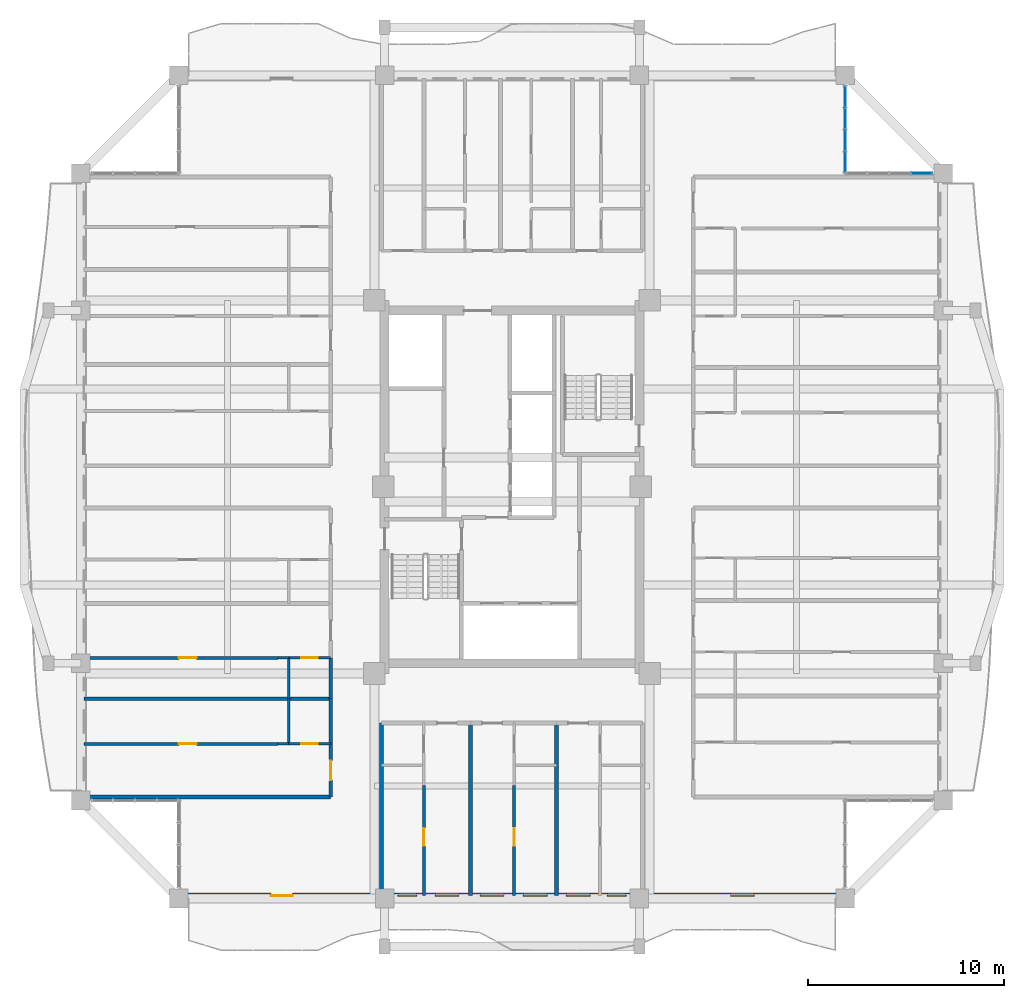
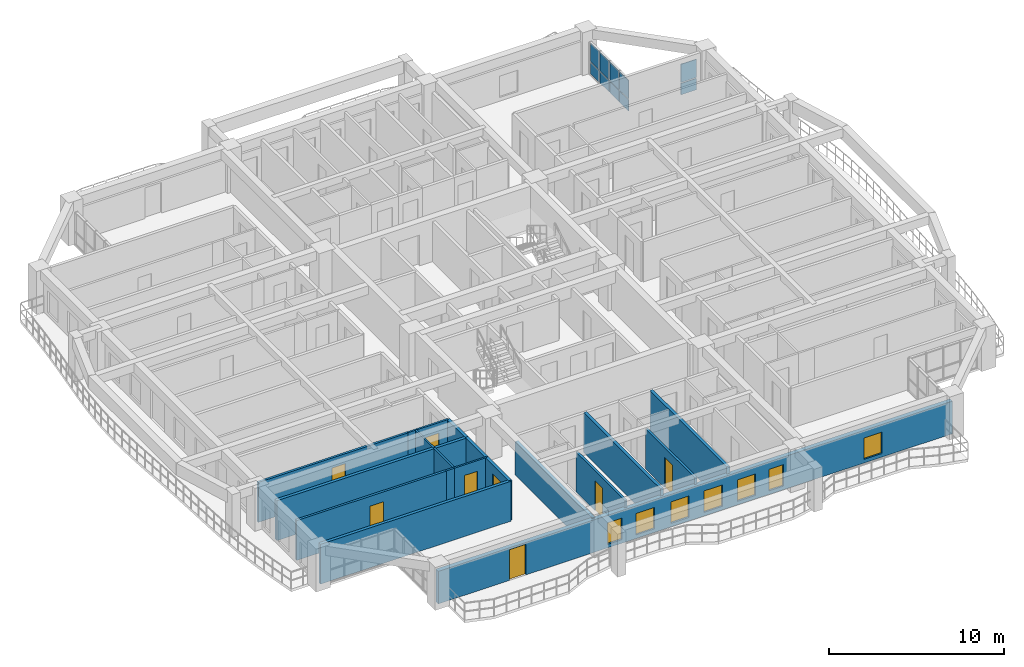
# One storey, part 11 of 24: 19 walls, 10 plates, 8 doors, 7 windows, 15 openings, 2 elements without a shape of their own.
"""IFC4 building model written with IfcOpenShell, lengths in metres."""

from ifc_helpers import new_model, si_unit, direction, frame, frame_2d, origin, origin_2d, place, context, subcontext, project, spatial, rectangle, extrude, source, transform, mapped, material, layer, layer_set, type_object, element, fill, aggregate, save


model = new_model("IFC4")

# Units and contexts
model_context = context("Model", 3, precision=1e-05, world=origin(), true_north=direction((0.0, 1.0)))
body_context = subcontext(model_context, "Body", "Model", "MODEL_VIEW")
ifc_project = project(units=[si_unit("LENGTHUNIT", "METRE"), si_unit("AREAUNIT", "SQUARE_METRE"), si_unit("VOLUMEUNIT", "CUBIC_METRE"), si_unit("PLANEANGLEUNIT", "RADIAN"), si_unit("MASSUNIT", "GRAM", prefix="KILO")], contexts=[model_context])

# Site, building, storey
site_placement = place(None, origin())
site = spatial("IfcSite", under=ifc_project, at=site_placement, CompositionType="ELEMENT")
building_placement = place(site_placement, origin())
building = spatial("IfcBuilding", under=site, at=building_placement, Name="Saelheon Loggia Tower", CompositionType="ELEMENT")
storey_placement = place(building_placement, frame((0.0, 0.0, 166.0)))
storey = spatial("IfcBuildingStorey", under=building, at=storey_placement, Name="L52", CompositionType="ELEMENT", Elevation=166.0)

# Curtain wall, plates
ifc_material_1 = material(Name="High-Wind Aluminium and Triple Laminated Glass", Category="aluminium")
ifc_layer_1 = layer(ifc_material_1, 0.179931640625)
ifc_layer_set_1 = layer_set([ifc_layer_1], Name="High-Wind Aluminium and Triple Laminated Glass")
curtain_wall_type = type_object("IfcCurtainWallType", Name="CW_TowerLoggiaHigh", PredefinedType="NOTDEFINED", material=ifc_layer_set_1)
curtain_wall_1_placement = place(storey_placement, origin())
curtain_wall_1 = element("IfcCurtainWall", 1, at=curtain_wall_1_placement, inside=storey, type_object=curtain_wall_type, Name="L52 Corner Notch Glazing NE1", PredefinedType="NOTDEFINED")
ifc_material_2 = material(Name="Triple Low-E Laminated Glazing", Category="glass")
ifc_layer_2 = layer(ifc_material_2, 0.0439453125)
ifc_layer_set_2 = layer_set([ifc_layer_2], Name="Triple Low-E Laminated Glazing")
plate_type = type_object("IfcPlateType", Name="CW_TowerLoggiaHigh_Panel", PredefinedType="CURTAIN_PANEL", material=ifc_layer_set_2)
shared_shape_1 = source(origin(), body_context, "Body", "SweptSolid", [
    extrude(rectangle(XDim=1.016357421875, YDim=0.0439453125, at=origin_2d()), origin(), (0.0, 0.0, 1.0), 0.794921875),
])
plate_1_placement = place(storey_placement, frame((55.0, 43.578125, 0.070068359375), z_axis=(0.0, 0.0, 1.0), x_axis=(0.0, 1.0, 0.0)))
plate_1 = element("IfcPlate", 2, at=plate_1_placement, type_object=plate_type, Name="CW4 panel 1.1", PredefinedType="CURTAIN_PANEL", context=body_context, shape_type="MappedRepresentation", body=[
    mapped(shared_shape_1, transform((0.0, 0.0, 0.0), scale=1.0)),
])
plate_2_placement = place(storey_placement, frame((55.0, 46.906982421875, 0.070068359375), z_axis=(0.0, 0.0, 1.0), x_axis=(0.0, 1.0, 0.0)))
plate_2 = element("IfcPlate", 3, at=plate_2_placement, type_object=plate_type, Name="CW4 panel 4.1", PredefinedType="CURTAIN_PANEL", context=body_context, shape_type="MappedRepresentation", body=[
    mapped(shared_shape_1, transform((0.0, 0.0, 0.0), scale=1.0)),
])

# Curtain wall, plate
curtain_wall_2_placement = place(storey_placement, origin())
curtain_wall_2 = element("IfcCurtainWall", 4, at=curtain_wall_2_placement, inside=storey, type_object=curtain_wall_type, Name="L52 Corner Notch Glazing NE2", PredefinedType="NOTDEFINED")
plate_3_placement = place(storey_placement, frame((58.906982421875, 43.0, 0.070068359375), z_axis=(0.0, 0.0, 1.0), x_axis=(1.0, 0.0, 0.0)))
plate_3 = element("IfcPlate", 5, at=plate_3_placement, type_object=plate_type, Name="CW4 panel 4.1", PredefinedType="CURTAIN_PANEL", context=body_context, shape_type="MappedRepresentation", body=[
    mapped(shared_shape_1, transform((0.0, 0.0, 0.0), scale=1.0)),
])

# Plate
shared_shape_2 = source(origin(), body_context, "Body", "SweptSolid", [
    extrude(rectangle(XDim=1.016357421875, YDim=0.0439453125, at=origin_2d()), origin(), (0.0, 0.0, 1.0), 1.27490234375),
])
plate_4_placement = place(storey_placement, frame((55.0, 43.578125, 0.93505859375), z_axis=(0.0, 0.0, 1.0), x_axis=(0.0, 1.0, 0.0)))
plate_4 = element("IfcPlate", 6, at=plate_4_placement, type_object=plate_type, Name="CW4 panel 1.2", PredefinedType="CURTAIN_PANEL", context=body_context, shape_type="MappedRepresentation", body=[
    mapped(shared_shape_2, transform((0.0, 0.0, 0.0), scale=1.0)),
])

plate_5_placement = place(storey_placement, frame((55.0, 46.906982421875, 0.93505859375), z_axis=(0.0, 0.0, 1.0), x_axis=(0.0, 1.0, 0.0)))
plate_5 = element("IfcPlate", 7, at=plate_5_placement, type_object=plate_type, Name="CW4 panel 4.2", PredefinedType="CURTAIN_PANEL", context=body_context, shape_type="MappedRepresentation", body=[
    mapped(shared_shape_2, transform((0.0, 0.0, 0.0), scale=1.0)),
])

plate_6_placement = place(storey_placement, frame((58.906982421875, 43.0, 0.93505859375), z_axis=(0.0, 0.0, 1.0), x_axis=(1.0, 0.0, 0.0)))
plate_6 = element("IfcPlate", 8, at=plate_6_placement, type_object=plate_type, Name="CW4 panel 4.2", PredefinedType="CURTAIN_PANEL", context=body_context, shape_type="MappedRepresentation", body=[
    mapped(shared_shape_2, transform((0.0, 0.0, 0.0), scale=1.0)),
])

aggregate(curtain_wall_2, [plate_3, plate_6])

shared_shape_3 = source(origin(), body_context, "Body", "SweptSolid", [
    extrude(rectangle(XDim=1.05126953125, YDim=0.0439453125, at=origin_2d()), origin(), (0.0, 0.0, 1.0), 0.794921875),
])
plate_7_placement = place(storey_placement, frame((55.0, 44.681884765625, 0.070068359375), z_axis=(0.0, 0.0, 1.0), x_axis=(0.0, 1.0, 0.0)))
plate_7 = element("IfcPlate", 9, at=plate_7_placement, type_object=plate_type, Name="CW4 panel 2.1", PredefinedType="CURTAIN_PANEL", context=body_context, shape_type="MappedRepresentation", body=[
    mapped(shared_shape_3, transform((0.0, 0.0, 0.0), scale=1.0)),
])

plate_8_placement = place(storey_placement, frame((55.0, 45.80322265625, 0.070068359375), z_axis=(0.0, 0.0, 1.0), x_axis=(0.0, 1.0, 0.0)))
plate_8 = element("IfcPlate", 10, at=plate_8_placement, type_object=plate_type, Name="CW4 panel 3.1", PredefinedType="CURTAIN_PANEL", context=body_context, shape_type="MappedRepresentation", body=[
    mapped(shared_shape_3, transform((0.0, 0.0, 0.0), scale=1.0)),
])

shared_shape_4 = source(origin(), body_context, "Body", "SweptSolid", [
    extrude(rectangle(XDim=1.05126953125, YDim=0.0439453125, at=origin_2d()), origin(), (0.0, 0.0, 1.0), 1.27490234375),
])
plate_9_placement = place(storey_placement, frame((55.0, 44.681884765625, 0.93505859375), z_axis=(0.0, 0.0, 1.0), x_axis=(0.0, 1.0, 0.0)))
plate_9 = element("IfcPlate", 11, at=plate_9_placement, type_object=plate_type, Name="CW4 panel 2.2", PredefinedType="CURTAIN_PANEL", context=body_context, shape_type="MappedRepresentation", body=[
    mapped(shared_shape_4, transform((0.0, 0.0, 0.0), scale=1.0)),
])

plate_10_placement = place(storey_placement, frame((55.0, 45.80322265625, 0.93505859375), z_axis=(0.0, 0.0, 1.0), x_axis=(0.0, 1.0, 0.0)))
plate_10 = element("IfcPlate", 12, at=plate_10_placement, type_object=plate_type, Name="CW4 panel 3.2", PredefinedType="CURTAIN_PANEL", context=body_context, shape_type="MappedRepresentation", body=[
    mapped(shared_shape_4, transform((0.0, 0.0, 0.0), scale=1.0)),
])

aggregate(curtain_wall_1, [plate_1, plate_4, plate_7, plate_9, plate_8, plate_10, plate_2, plate_5])

# Wall, openings, windows, door
ifc_material_3 = material(Name="Architectural Precast Concrete C40/50", Category="concrete")
ifc_layer_3 = layer(ifc_material_3, 0.280029296875)
ifc_layer_set_3 = layer_set([ifc_layer_3], Name="Architectural Precast Concrete C40/50")
wall_type_1 = type_object("IfcWallType", Name="Wall_Ext_Loggia_280", PredefinedType="SOLIDWALL", material=ifc_layer_set_3)
wall_1_placement = place(storey_placement, frame((21.0, 6.139892578125, 0.0), z_axis=(0.0, 0.0, 1.0), x_axis=(1.0, 0.0, 0.0)))
wall_1 = element("IfcWall", 13, at=wall_1_placement, inside=storey, type_object=wall_type_1, Name="L52 South Loggia Inner Wall", PredefinedType="SOLIDWALL", context=body_context, shape_type="SweptSolid", body=[
    extrude(rectangle(XDim=34.0, YDim=0.280029296875, at=frame_2d((17.0, 0.0))), origin(), (0.0, 0.0, 1.0), 2.280029296875),
])
opening_1_placement = place(wall_1_placement, frame((5.800048828125, 0.0, 0.0), z_axis=(0.0, 0.0, 1.0), x_axis=(-1.0, 0.0, 0.0)))
opening_1 = element("IfcOpeningElement", 14, at=opening_1_placement, cuts=wall_1, Name="Opening TD1", PredefinedType="OPENING", context=body_context, shape_type="SweptSolid", body=[
    extrude(rectangle(XDim=1.10009765625, YDim=2.14990234375, at=frame_2d((0.550048828125, 1.074951171875))), frame((0.0, 0.152099609375, 0.0), z_axis=(0.0, -1.0, 0.0), x_axis=(1.0, 0.0, 0.0)), (0.0, 0.0, 1.0), 0.303955078125),
])
opening_2_placement = place(wall_1_placement, frame((11.1826171875, 0.0, 0.25)))
opening_2 = element("IfcOpeningElement", 15, at=opening_2_placement, cuts=wall_1, Name="Opening WN-04", PredefinedType="OPENING", context=body_context, shape_type="SweptSolid", body=[
    extrude(rectangle(XDim=0.949951171875, YDim=1.5, at=frame_2d((0.47509765625, 0.75))), frame((0.0, 0.152099609375, 0.0), z_axis=(0.0, -1.0, 0.0), x_axis=(1.0, 0.0, 0.0)), (0.0, 0.0, 1.0), 0.303955078125),
])
opening_3_placement = place(wall_1_placement, frame((13.0859375, 0.0, 0.25)))
opening_3 = element("IfcOpeningElement", 16, at=opening_3_placement, cuts=wall_1, Name="Opening WN-03", PredefinedType="OPENING", context=body_context, shape_type="SweptSolid", body=[
    extrude(rectangle(XDim=1.199951171875, YDim=1.5, at=frame_2d((0.60009765625, 0.75))), frame((0.0, 0.152099609375, 0.0), z_axis=(0.0, -1.0, 0.0), x_axis=(1.0, 0.0, 0.0)), (0.0, 0.0, 1.0), 0.303955078125),
])
opening_4_placement = place(wall_1_placement, frame((15.3916015625, 0.0, 0.25)))
opening_4 = element("IfcOpeningElement", 17, at=opening_4_placement, cuts=wall_1, Name="Opening WN-03", PredefinedType="OPENING", context=body_context, shape_type="SweptSolid", body=[
    extrude(rectangle(XDim=1.199951171875, YDim=1.5, at=frame_2d((0.60009765625, 0.75))), frame((0.0, 0.152099609375, 0.0), z_axis=(0.0, -1.0, 0.0), x_axis=(1.0, 0.0, 0.0)), (0.0, 0.0, 1.0), 0.303955078125),
])
opening_5_placement = place(wall_1_placement, frame((17.5859375, 0.0, 0.25)))
opening_5 = element("IfcOpeningElement", 18, at=opening_5_placement, cuts=wall_1, Name="Opening WN-03", PredefinedType="OPENING", context=body_context, shape_type="SweptSolid", body=[
    extrude(rectangle(XDim=1.199951171875, YDim=1.5, at=frame_2d((0.60009765625, 0.75))), frame((0.0, 0.152099609375, 0.0), z_axis=(0.0, -1.0, 0.0), x_axis=(1.0, 0.0, 0.0)), (0.0, 0.0, 1.0), 0.303955078125),
])
opening_6_placement = place(wall_1_placement, frame((19.780517578125, 0.0, 0.25)))
opening_6 = element("IfcOpeningElement", 19, at=opening_6_placement, cuts=wall_1, Name="Opening WN-03", PredefinedType="OPENING", context=body_context, shape_type="SweptSolid", body=[
    extrude(rectangle(XDim=1.199951171875, YDim=1.5, at=frame_2d((0.60009765625, 0.75))), frame((0.0, 0.152099609375, 0.0), z_axis=(0.0, -1.0, 0.0), x_axis=(1.0, 0.0, 0.0)), (0.0, 0.0, 1.0), 0.303955078125),
])
opening_7_placement = place(wall_1_placement, frame((21.867431640625, 0.0, 0.25)))
opening_7 = element("IfcOpeningElement", 20, at=opening_7_placement, cuts=wall_1, Name="Opening WN-04", PredefinedType="OPENING", context=body_context, shape_type="SweptSolid", body=[
    extrude(rectangle(XDim=0.949951171875, YDim=1.5, at=frame_2d((0.47509765625, 0.75))), frame((0.0, 0.152099609375, 0.0), z_axis=(0.0, -1.0, 0.0), x_axis=(1.0, 0.0, 0.0)), (0.0, 0.0, 1.0), 0.303955078125),
])
opening_8_placement = place(wall_1_placement, frame((28.14990234375, 0.0, 0.25)))
opening_8 = element("IfcOpeningElement", 21, at=opening_8_placement, cuts=wall_1, Name="Opening WN-03", PredefinedType="OPENING", context=body_context, shape_type="SweptSolid", body=[
    extrude(rectangle(XDim=1.199951171875, YDim=1.5, at=frame_2d((0.60009765625, 0.75))), frame((0.0, 0.152099609375, 0.0), z_axis=(0.0, -1.0, 0.0), x_axis=(1.0, 0.0, 0.0)), (0.0, 0.0, 1.0), 0.303955078125),
])
ifc_material_4 = material(Name="Thermal-Break Aluminium and Triple Low-E Glass", Category="aluminium")
window_type_1 = type_object("IfcWindowType", Name="Win_Bedroom_1200x1500", PartitioningType="SINGLE_PANEL", PredefinedType="WINDOW", material=ifc_material_4)
shared_shape_5 = source(origin(), body_context, "Body", "SweptSolid", [
    extrude(rectangle(XDim=1.199951171875, YDim=1.5, at=frame_2d((0.60009765625, 0.75))), frame((0.0, 0.030029296875, 0.0), z_axis=(0.0, -1.0, 0.0), x_axis=(1.0, 0.0, 0.0)), (0.0, 0.0, 1.0), 0.06005859375),
])
window_1_placement = place(opening_3_placement, origin())
window_1 = element("IfcWindow", 22, at=window_1_placement, inside=storey, type_object=window_type_1, Name="L52 S Dwelling Window 3", OverallHeight=1.5, OverallWidth=1.199951171875, PartitioningType="SINGLE_PANEL", PredefinedType="WINDOW", context=body_context, shape_type="MappedRepresentation", body=[
    mapped(shared_shape_5, transform((0.0, 0.0, 0.0), scale=1.0)),
])
fill(opening_3, window_1)
window_2_placement = place(opening_4_placement, origin())
window_2 = element("IfcWindow", 23, at=window_2_placement, inside=storey, type_object=window_type_1, Name="L52 S Dwelling Window 4", OverallHeight=1.5, OverallWidth=1.199951171875, PartitioningType="SINGLE_PANEL", PredefinedType="WINDOW", context=body_context, shape_type="MappedRepresentation", body=[
    mapped(shared_shape_5, transform((0.0, 0.0, 0.0), scale=1.0)),
])
fill(opening_4, window_2)
window_3_placement = place(opening_5_placement, origin())
window_3 = element("IfcWindow", 24, at=window_3_placement, inside=storey, type_object=window_type_1, Name="L52 S Dwelling Window 5", OverallHeight=1.5, OverallWidth=1.199951171875, PartitioningType="SINGLE_PANEL", PredefinedType="WINDOW", context=body_context, shape_type="MappedRepresentation", body=[
    mapped(shared_shape_5, transform((0.0, 0.0, 0.0), scale=1.0)),
])
fill(opening_5, window_3)
window_4_placement = place(opening_6_placement, origin())
window_4 = element("IfcWindow", 25, at=window_4_placement, inside=storey, type_object=window_type_1, Name="L52 S Dwelling Window 6", OverallHeight=1.5, OverallWidth=1.199951171875, PartitioningType="SINGLE_PANEL", PredefinedType="WINDOW", context=body_context, shape_type="MappedRepresentation", body=[
    mapped(shared_shape_5, transform((0.0, 0.0, 0.0), scale=1.0)),
])
fill(opening_6, window_4)
window_5_placement = place(opening_8_placement, origin())
window_5 = element("IfcWindow", 26, at=window_5_placement, inside=storey, type_object=window_type_1, Name="L52 S Dwelling Window 8", OverallHeight=1.5, OverallWidth=1.199951171875, PartitioningType="SINGLE_PANEL", PredefinedType="WINDOW", context=body_context, shape_type="MappedRepresentation", body=[
    mapped(shared_shape_5, transform((0.0, 0.0, 0.0), scale=1.0)),
])
fill(opening_8, window_5)
ifc_material_5 = material(Name="Thermal-Break Aluminium Glazed Door", Category="aluminium")
door_type_1 = type_object("IfcDoorType", Name="Door_Terrace_TD1", OperationType="NOTDEFINED", PredefinedType="DOOR", material=ifc_material_5)
shared_shape_6 = source(origin(), body_context, "Body", "SweptSolid", [
    extrude(rectangle(XDim=1.10009765625, YDim=2.14990234375, at=frame_2d((0.550048828125, 1.074951171875))), frame((0.0, 0.02490234375, 0.0), z_axis=(0.0, -1.0, 0.0), x_axis=(1.0, 0.0, 0.0)), (0.0, 0.0, 1.0), 0.050048828125),
])
door_1_placement = place(opening_1_placement, origin())
door_1 = element("IfcDoor", 27, at=door_1_placement, inside=storey, type_object=door_type_1, Name="L52 S Loggia Access Door", OperationType="SINGLE_SWING_LEFT", OverallHeight=2.14990234375, OverallWidth=1.10009765625, PredefinedType="DOOR", context=body_context, shape_type="MappedRepresentation", body=[
    mapped(shared_shape_6, transform((0.0, 0.0, 0.0), scale=1.0)),
])
fill(opening_1, door_1)
window_type_2 = type_object("IfcWindowType", Name="Win_Narrow_950x1500", PartitioningType="SINGLE_PANEL", PredefinedType="WINDOW", material=ifc_material_4)
shared_shape_7 = source(origin(), body_context, "Body", "SweptSolid", [
    extrude(rectangle(XDim=0.949951171875, YDim=1.5, at=frame_2d((0.47509765625, 0.75))), frame((0.0, 0.030029296875, 0.0), z_axis=(0.0, -1.0, 0.0), x_axis=(1.0, 0.0, 0.0)), (0.0, 0.0, 1.0), 0.06005859375),
])
window_6_placement = place(opening_2_placement, origin())
window_6 = element("IfcWindow", 28, at=window_6_placement, inside=storey, type_object=window_type_2, Name="L52 S Dwelling Window 2", OverallHeight=1.5, OverallWidth=0.949951171875, PartitioningType="SINGLE_PANEL", PredefinedType="WINDOW", context=body_context, shape_type="MappedRepresentation", body=[
    mapped(shared_shape_7, transform((0.0, 0.0, 0.0), scale=1.0)),
])
fill(opening_2, window_6)
window_7_placement = place(opening_7_placement, origin())
window_7 = element("IfcWindow", 29, at=window_7_placement, inside=storey, type_object=window_type_2, Name="L52 S Dwelling Window 7", OverallHeight=1.5, OverallWidth=0.949951171875, PartitioningType="SINGLE_PANEL", PredefinedType="WINDOW", context=body_context, shape_type="MappedRepresentation", body=[
    mapped(shared_shape_7, transform((0.0, 0.0, 0.0), scale=1.0)),
])
fill(opening_7, window_7)

# Wall, opening, door
ifc_material_6 = material(Name="Lightweight Autoclaved Aerated Concrete Block and Acoustic Gypsum", Category="concrete")
ifc_layer_4 = layer(ifc_material_6, 0.14990234375)
ifc_layer_set_4 = layer_set([ifc_layer_4], Name="Lightweight Autoclaved Aerated Concrete Block and Acoustic Gypsum")
wall_type_2 = type_object("IfcWallType", Name="Wall_Part_150", PredefinedType="PARTITIONING", material=ifc_layer_set_4)
wall_2_placement = place(storey_placement, frame((33.5, 11.77001953125, 0.0), z_axis=(0.0, 0.0, 1.0), x_axis=(0.0, -1.0, 0.0)))
wall_2 = element("IfcWall", 30, at=wall_2_placement, inside=storey, type_object=wall_type_2, Name="L52 S Partition U08", PredefinedType="PARTITIONING", context=body_context, shape_type="SweptSolid", body=[
    extrude(rectangle(XDim=5.6201171875, YDim=0.14990234375, at=frame_2d((2.81005859375, 0.0))), origin(), (0.0, 0.0, 1.0), 2.7900390625),
])
opening_9_placement = place(wall_2_placement, frame((2.183349609375, 0.0, 0.0)))
opening_9 = element("IfcOpeningElement", 31, at=opening_9_placement, cuts=wall_2, Name="Opening D-IN2", PredefinedType="OPENING", context=body_context, shape_type="SweptSolid", body=[
    extrude(rectangle(XDim=0.89990234375, YDim=2.10009765625, at=frame_2d((0.449951171875, 1.050048828125))), frame((0.0, 0.0869140625, 0.0), z_axis=(0.0, -1.0, 0.0), x_axis=(1.0, 0.0, 0.0)), (0.0, 0.0, 1.0), 0.173828125),
])
ifc_material_7 = material(Name="Engineered Oak Flush Door", Category="timber")
door_type_2 = type_object("IfcDoorType", Name="Door_Int_900", OperationType="NOTDEFINED", PredefinedType="DOOR", material=ifc_material_7)
shared_shape_8 = source(origin(), body_context, "Body", "SweptSolid", [
    extrude(rectangle(XDim=0.89990234375, YDim=2.10009765625, at=frame_2d((0.449951171875, 1.050048828125))), frame((0.0, 0.02490234375, 0.0), z_axis=(0.0, -1.0, 0.0), x_axis=(1.0, 0.0, 0.0)), (0.0, 0.0, 1.0), 0.050048828125),
])
door_2_placement = place(opening_9_placement, origin())
door_2 = element("IfcDoor", 32, at=door_2_placement, inside=storey, type_object=door_type_2, Name="Unit U01 Kitchen Door", OperationType="SINGLE_SWING_LEFT", OverallHeight=2.10009765625, OverallWidth=0.89990234375, PredefinedType="DOOR", context=body_context, shape_type="MappedRepresentation", body=[
    mapped(shared_shape_8, transform((0.0, 0.0, 0.0), scale=1.0)),
])
fill(opening_9, door_2)

wall_3_placement = place(storey_placement, frame((38.111083984375, 11.77001953125, 0.0), z_axis=(0.0, 0.0, 1.0), x_axis=(0.0, -1.0, 0.0)))
wall_3 = element("IfcWall", 33, at=wall_3_placement, inside=storey, type_object=wall_type_2, Name="L52 S Partition U15", PredefinedType="PARTITIONING", context=body_context, shape_type="SweptSolid", body=[
    extrude(rectangle(XDim=5.6201171875, YDim=0.14990234375, at=frame_2d((2.81005859375, 0.0))), origin(), (0.0, 0.0, 1.0), 2.7900390625),
])
opening_10_placement = place(wall_3_placement, frame((2.183349609375, 0.0, 0.0)))
opening_10 = element("IfcOpeningElement", 34, at=opening_10_placement, cuts=wall_3, Name="Opening D-IN2", PredefinedType="OPENING", context=body_context, shape_type="SweptSolid", body=[
    extrude(rectangle(XDim=0.89990234375, YDim=2.10009765625, at=frame_2d((0.449951171875, 1.050048828125))), frame((0.0, 0.0869140625, 0.0), z_axis=(0.0, -1.0, 0.0), x_axis=(1.0, 0.0, 0.0)), (0.0, 0.0, 1.0), 0.173828125),
])
door_3_placement = place(opening_10_placement, origin())
door_3 = element("IfcDoor", 35, at=door_3_placement, inside=storey, type_object=door_type_2, Name="Unit U02 Kitchen Door", OperationType="SINGLE_SWING_RIGHT", OverallHeight=2.10009765625, OverallWidth=0.89990234375, PredefinedType="DOOR", context=body_context, shape_type="MappedRepresentation", body=[
    mapped(shared_shape_8, transform((0.0, 0.0, 0.0), scale=1.0)),
])
fill(opening_10, door_3)

wall_4_placement = place(storey_placement, frame((26.050048828125, 13.88623046875, 0.0), z_axis=(0.0, 0.0, 1.0), x_axis=(-1.0, 0.0, 0.0)))
wall_4 = element("IfcWall", 36, at=wall_4_placement, inside=storey, type_object=wall_type_2, Name="L52 WS Partition U08", PredefinedType="PARTITIONING", context=body_context, shape_type="SweptSolid", body=[
    extrude(rectangle(XDim=9.900146484375, YDim=0.14990234375, at=frame_2d((4.9501953125, 0.0))), origin(), (0.0, 0.0, 1.0), 2.7900390625),
])
opening_11_placement = place(wall_4_placement, frame((4.14501953125, 0.0, 0.0)))
opening_11 = element("IfcOpeningElement", 37, at=opening_11_placement, cuts=wall_4, Name="Opening D-IN2", PredefinedType="OPENING", context=body_context, shape_type="SweptSolid", body=[
    extrude(rectangle(XDim=0.89990234375, YDim=2.10009765625, at=frame_2d((0.449951171875, 1.050048828125))), frame((0.0, 0.0869140625, 0.0), z_axis=(0.0, -1.0, 0.0), x_axis=(1.0, 0.0, 0.0)), (0.0, 0.0, 1.0), 0.173828125),
])
door_4_placement = place(opening_11_placement, origin())
door_4 = element("IfcDoor", 38, at=door_4_placement, inside=storey, type_object=door_type_2, Name="Unit U07 Kitchen Door", OperationType="SINGLE_SWING_RIGHT", OverallHeight=2.10009765625, OverallWidth=0.89990234375, PredefinedType="DOOR", context=body_context, shape_type="MappedRepresentation", body=[
    mapped(shared_shape_8, transform((0.0, 0.0, 0.0), scale=1.0)),
])
fill(opening_11, door_4)

wall_5_placement = place(storey_placement, frame((26.050048828125, 18.280029296875, 0.0), z_axis=(0.0, 0.0, 1.0), x_axis=(-1.0, 0.0, 0.0)))
wall_5 = element("IfcWall", 39, at=wall_5_placement, inside=storey, type_object=wall_type_2, Name="L52 WS Partition U15", PredefinedType="PARTITIONING", context=body_context, shape_type="SweptSolid", body=[
    extrude(rectangle(XDim=9.900146484375, YDim=0.14990234375, at=frame_2d((4.9501953125, 0.0))), origin(), (0.0, 0.0, 1.0), 2.7900390625),
])
opening_12_placement = place(wall_5_placement, frame((4.14501953125, 0.0, 0.0)))
opening_12 = element("IfcOpeningElement", 40, at=opening_12_placement, cuts=wall_5, Name="Opening D-IN2", PredefinedType="OPENING", context=body_context, shape_type="SweptSolid", body=[
    extrude(rectangle(XDim=0.89990234375, YDim=2.10009765625, at=frame_2d((0.449951171875, 1.050048828125))), frame((0.0, 0.0869140625, 0.0), z_axis=(0.0, -1.0, 0.0), x_axis=(1.0, 0.0, 0.0)), (0.0, 0.0, 1.0), 0.173828125),
])
door_5_placement = place(opening_12_placement, origin())
door_5 = element("IfcDoor", 41, at=door_5_placement, inside=storey, type_object=door_type_2, Name="Unit U08 Kitchen Door", OperationType="SINGLE_SWING_LEFT", OverallHeight=2.10009765625, OverallWidth=0.89990234375, PredefinedType="DOOR", context=body_context, shape_type="MappedRepresentation", body=[
    mapped(shared_shape_8, transform((0.0, 0.0, 0.0), scale=1.0)),
])
fill(opening_12, door_5)

# Walls
ifc_material_8 = material(Name="Double Acoustic Stud and Fireboard Partition", Category="gypsum")
ifc_layer_5 = layer(ifc_material_8, 0.199951171875)
ifc_layer_set_5 = layer_set([ifc_layer_5], Name="Double Acoustic Stud and Fireboard Partition")
wall_type_3 = type_object("IfcWallType", Name="Wall_Party_200", PredefinedType="PARTITIONING", material=ifc_layer_set_5)
wall_6_placement = place(storey_placement, frame((31.35009765625, 14.949951171875, 0.0), z_axis=(0.0, 0.0, 1.0), x_axis=(0.0, -1.0, 0.0)))
element("IfcWall", 42, at=wall_6_placement, inside=storey, type_object=wall_type_3, Name="L52 S Partition U01", PredefinedType="PARTITIONING", context=body_context, shape_type="SweptSolid", body=[
    extrude(rectangle(XDim=8.800048828125, YDim=0.199951171875, at=frame_2d((4.39990234375, 0.0))), origin(), (0.0, 0.0, 1.0), 2.340087890625),
])
for number, where, z_axis, x_axis, name in (
    (43, (35.8720703125, 14.949951171875, 0.0), (0.0, 0.0, 1.0), (0.0, -1.0, 0.0), "L52 S Partition U09"),
    (44, (40.260986328125, 14.949951171875, 0.0), (0.0, 0.0, 1.0), (0.0, -1.0, 0.0), "L52 S Partition U16"),
):
    element("IfcWall", number, at=place(storey_placement, frame(where, z_axis=z_axis, x_axis=x_axis)), inside=storey, type_object=wall_type_3, Name=name, PredefinedType="PARTITIONING", context=body_context, shape_type="SweptSolid", body=[
        extrude(rectangle(XDim=8.800048828125, YDim=0.199951171875, at=frame_2d((4.39990234375, 0.0))), origin(), (0.0, 0.0, 1.0), 2.7900390625),
    ])
wall_7_placement = place(storey_placement, frame((28.75, 11.179931640625, 0.0), z_axis=(0.0, 0.0, 1.0), x_axis=(-1.0, 0.0, 0.0)))
element("IfcWall", 45, at=wall_7_placement, inside=storey, type_object=wall_type_3, Name="L52 WS Partition U01", PredefinedType="PARTITIONING", context=body_context, shape_type="SweptSolid", body=[
    extrude(rectangle(XDim=12.60009765625, YDim=0.199951171875, at=frame_2d((6.300048828125, 0.0))), origin(), (0.0, 0.0, 1.0), 2.7900390625),
])

# Wall, opening, door
wall_8_placement = place(storey_placement, frame((28.75, 11.179931640625, 0.0), z_axis=(0.0, 0.0, 1.0), x_axis=(0.0, 1.0, 0.0)))
wall_8 = element("IfcWall", 46, at=wall_8_placement, inside=storey, type_object=wall_type_3, Name="L52 WS Partition V03", PredefinedType="PARTITIONING", context=body_context, shape_type="SweptSolid", body=[
    extrude(rectangle(XDim=2.706298828125, YDim=0.199951171875, at=frame_2d((1.35302734375, 0.0))), origin(), (0.0, 0.0, 1.0), 2.7900390625),
])
opening_13_placement = place(wall_8_placement, frame((0.853271484375, 0.0, 0.0)))
opening_13 = element("IfcOpeningElement", 47, at=opening_13_placement, cuts=wall_8, Name="Opening D-FD1", PredefinedType="OPENING", context=body_context, shape_type="SweptSolid", body=[
    extrude(rectangle(XDim=1.0, YDim=2.14990234375, at=frame_2d((0.5, 1.074951171875))), frame((0.0, 0.112060546875, 0.0), z_axis=(0.0, -1.0, 0.0), x_axis=(1.0, 0.0, 0.0)), (0.0, 0.0, 1.0), 0.223876953125),
])
ifc_material_9 = material(Name="Fire-Rated Engineered Timber Entrance Door", Category="wood")
door_type_3 = type_object("IfcDoorType", Name="Door_Flat_FD30S", OperationType="NOTDEFINED", PredefinedType="DOOR", material=ifc_material_9)
shared_shape_9 = source(origin(), body_context, "Body", "SweptSolid", [
    extrude(rectangle(XDim=1.0, YDim=2.14990234375, at=frame_2d((0.5, 1.074951171875))), frame((0.0, 0.02490234375, 0.0), z_axis=(0.0, -1.0, 0.0), x_axis=(1.0, 0.0, 0.0)), (0.0, 0.0, 1.0), 0.050048828125),
])
door_6_placement = place(opening_13_placement, origin())
door_6 = element("IfcDoor", 48, at=door_6_placement, inside=storey, type_object=door_type_3, Name="Unit U07 Entrance Door", OperationType="SINGLE_SWING_RIGHT", OverallHeight=2.14990234375, OverallWidth=1.0, PredefinedType="DOOR", context=body_context, shape_type="MappedRepresentation", body=[
    mapped(shared_shape_9, transform((0.0, 0.0, 0.0), scale=1.0)),
])
fill(opening_13, door_6)

# Walls
wall_9_placement = place(storey_placement, frame((28.75, 13.88623046875, 0.0), z_axis=(0.0, 0.0, 1.0), x_axis=(0.0, 1.0, 0.0)))
element("IfcWall", 49, at=wall_9_placement, inside=storey, type_object=wall_type_3, Name="L52 WS Partition V04", PredefinedType="PARTITIONING", context=body_context, shape_type="SweptSolid", body=[
    extrude(rectangle(XDim=2.305419921875, YDim=0.199951171875, at=frame_2d((1.15283203125, 0.0))), origin(), (0.0, 0.0, 1.0), 2.7900390625),
])
wall_10_placement = place(storey_placement, frame((28.75, 16.191650390625, 0.0), z_axis=(0.0, 0.0, 1.0), x_axis=(-1.0, 0.0, 0.0)))
element("IfcWall", 50, at=wall_10_placement, inside=storey, type_object=wall_type_3, Name="L52 WS Partition U09", PredefinedType="PARTITIONING", context=body_context, shape_type="SweptSolid", body=[
    extrude(rectangle(XDim=12.60009765625, YDim=0.199951171875, at=frame_2d((6.300048828125, 0.0))), origin(), (0.0, 0.0, 1.0), 2.7900390625),
])
wall_11_placement = place(storey_placement, frame((28.75, 16.191650390625, 0.0), z_axis=(0.0, 0.0, 1.0), x_axis=(0.0, 1.0, 0.0)))
element("IfcWall", 51, at=wall_11_placement, inside=storey, type_object=wall_type_3, Name="L52 WS Partition V10", PredefinedType="PARTITIONING", context=body_context, shape_type="SweptSolid", body=[
    extrude(rectangle(XDim=2.08837890625, YDim=0.199951171875, at=frame_2d((1.044189453125, 0.0))), origin(), (0.0, 0.0, 1.0), 2.7900390625),
])

# Wall, opening, door
ifc_material_10 = material(Name="Moisture-Resistant Cement Board Partition", Category="gypsum")
ifc_layer_6 = layer(ifc_material_10, 0.1201171875)
ifc_layer_set_6 = layer_set([ifc_layer_6], Name="Moisture-Resistant Cement Board Partition")
wall_type_4 = type_object("IfcWallType", Name="Wall_WetPart_120", PredefinedType="PARTITIONING", material=ifc_layer_set_6)
wall_12_placement = place(storey_placement, frame((28.75, 13.88623046875, 0.0), z_axis=(0.0, 0.0, 1.0), x_axis=(-1.0, 0.0, 0.0)))
wall_12 = element("IfcWall", 52, at=wall_12_placement, inside=storey, type_object=wall_type_4, Name="L52 WS Partition U05", PredefinedType="PARTITIONING", context=body_context, shape_type="SweptSolid", body=[
    extrude(rectangle(XDim=2.14990234375, YDim=0.1201171875, at=frame_2d((1.074951171875, 0.0))), origin(), (0.0, 0.0, 1.0), 2.7900390625),
])
opening_14_placement = place(wall_12_placement, frame((0.64990234375, 0.0, 0.0)))
opening_14 = element("IfcOpeningElement", 53, at=opening_14_placement, cuts=wall_12, Name="Opening D-BT1", PredefinedType="OPENING", context=body_context, shape_type="SweptSolid", body=[
    extrude(rectangle(XDim=0.85009765625, YDim=2.050048828125, at=frame_2d((0.425048828125, 1.02490234375))), frame((0.0, 0.072021484375, 0.0), z_axis=(0.0, -1.0, 0.0), x_axis=(1.0, 0.0, 0.0)), (0.0, 0.0, 1.0), 0.14404296875),
])
ifc_material_11 = material(Name="Moisture-Resistant Laminate Timber Door", Category="wood")
door_type_4 = type_object("IfcDoorType", Name="Door_Bath_850", OperationType="NOTDEFINED", PredefinedType="DOOR", material=ifc_material_11)
shared_shape_10 = source(origin(), body_context, "Body", "SweptSolid", [
    extrude(rectangle(XDim=0.85009765625, YDim=2.050048828125, at=frame_2d((0.425048828125, 1.02490234375))), frame((0.0, 0.02490234375, 0.0), z_axis=(0.0, -1.0, 0.0), x_axis=(1.0, 0.0, 0.0)), (0.0, 0.0, 1.0), 0.050048828125),
])
door_7_placement = place(opening_14_placement, origin())
door_7 = element("IfcDoor", 54, at=door_7_placement, inside=storey, type_object=door_type_4, Name="Unit U07 Bathroom Door", OperationType="SINGLE_SWING_LEFT", OverallHeight=2.050048828125, OverallWidth=0.85009765625, PredefinedType="DOOR", context=body_context, shape_type="MappedRepresentation", body=[
    mapped(shared_shape_10, transform((0.0, 0.0, 0.0), scale=1.0)),
])
fill(opening_14, door_7)

# Walls
wall_13_placement = place(storey_placement, frame((26.60009765625, 13.88623046875, 0.0), z_axis=(0.0, 0.0, 1.0), x_axis=(-1.0, 0.0, 0.0)))
element("IfcWall", 55, at=wall_13_placement, inside=storey, type_object=wall_type_4, Name="L52 WS Partition U06", PredefinedType="PARTITIONING", context=body_context, shape_type="SweptSolid", body=[
    extrude(rectangle(XDim=0.550048828125, YDim=0.1201171875, at=frame_2d((0.27490234375, 0.0))), origin(), (0.0, 0.0, 1.0), 2.7900390625),
])
wall_14_placement = place(storey_placement, frame((26.60009765625, 13.88623046875, 0.0), z_axis=(0.0, 0.0, 1.0), x_axis=(0.0, 1.0, 0.0)))
element("IfcWall", 56, at=wall_14_placement, inside=storey, type_object=wall_type_4, Name="L52 WS Partition V07", PredefinedType="PARTITIONING", context=body_context, shape_type="SweptSolid", body=[
    extrude(rectangle(XDim=2.305419921875, YDim=0.1201171875, at=frame_2d((1.15283203125, 0.0))), origin(), (0.0, 0.0, 1.0), 2.7900390625),
])

# Wall, opening, door
wall_15_placement = place(storey_placement, frame((28.75, 18.280029296875, 0.0), z_axis=(0.0, 0.0, 1.0), x_axis=(-1.0, 0.0, 0.0)))
wall_15 = element("IfcWall", 57, at=wall_15_placement, inside=storey, type_object=wall_type_4, Name="L52 WS Partition U12", PredefinedType="PARTITIONING", context=body_context, shape_type="SweptSolid", body=[
    extrude(rectangle(XDim=2.14990234375, YDim=0.1201171875, at=frame_2d((1.074951171875, 0.0))), origin(), (0.0, 0.0, 1.0), 2.7900390625),
])
opening_15_placement = place(wall_15_placement, frame((0.64990234375, 0.0, 0.0)))
opening_15 = element("IfcOpeningElement", 58, at=opening_15_placement, cuts=wall_15, Name="Opening D-BT1", PredefinedType="OPENING", context=body_context, shape_type="SweptSolid", body=[
    extrude(rectangle(XDim=0.85009765625, YDim=2.050048828125, at=frame_2d((0.425048828125, 1.02490234375))), frame((0.0, 0.072021484375, 0.0), z_axis=(0.0, -1.0, 0.0), x_axis=(1.0, 0.0, 0.0)), (0.0, 0.0, 1.0), 0.14404296875),
])
door_8_placement = place(opening_15_placement, origin())
door_8 = element("IfcDoor", 59, at=door_8_placement, inside=storey, type_object=door_type_4, Name="Unit U08 Bathroom Door", OperationType="SINGLE_SWING_RIGHT", OverallHeight=2.050048828125, OverallWidth=0.85009765625, PredefinedType="DOOR", context=body_context, shape_type="MappedRepresentation", body=[
    mapped(shared_shape_10, transform((0.0, 0.0, 0.0), scale=1.0)),
])
fill(opening_15, door_8)

# Walls
wall_16_placement = place(storey_placement, frame((26.60009765625, 18.280029296875, 0.0), z_axis=(0.0, 0.0, 1.0), x_axis=(-1.0, 0.0, 0.0)))
element("IfcWall", 60, at=wall_16_placement, inside=storey, type_object=wall_type_4, Name="L52 WS Partition U13", PredefinedType="PARTITIONING", context=body_context, shape_type="SweptSolid", body=[
    extrude(rectangle(XDim=0.550048828125, YDim=0.1201171875, at=frame_2d((0.27490234375, 0.0))), origin(), (0.0, 0.0, 1.0), 2.7900390625),
])
wall_17_placement = place(storey_placement, frame((26.60009765625, 16.191650390625, 0.0), z_axis=(0.0, 0.0, 1.0), x_axis=(0.0, 1.0, 0.0)))
element("IfcWall", 61, at=wall_17_placement, inside=storey, type_object=wall_type_4, Name="L52 WS Partition V14", PredefinedType="PARTITIONING", context=body_context, shape_type="SweptSolid", body=[
    extrude(rectangle(XDim=2.08837890625, YDim=0.1201171875, at=frame_2d((1.044189453125, 0.0))), origin(), (0.0, 0.0, 1.0), 2.7900390625),
])

save(model, "model.ifc")
